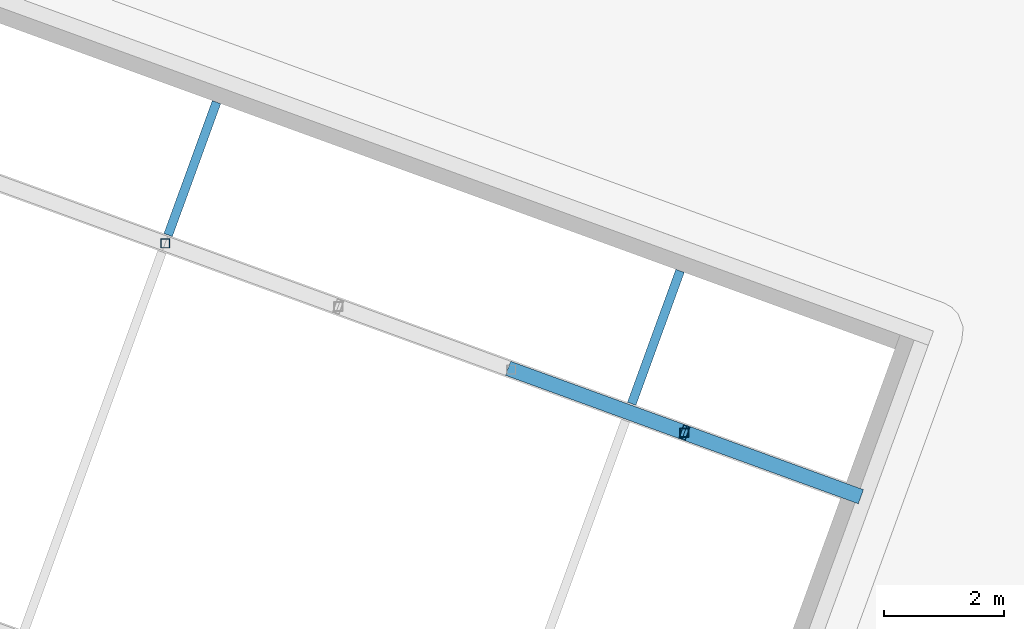
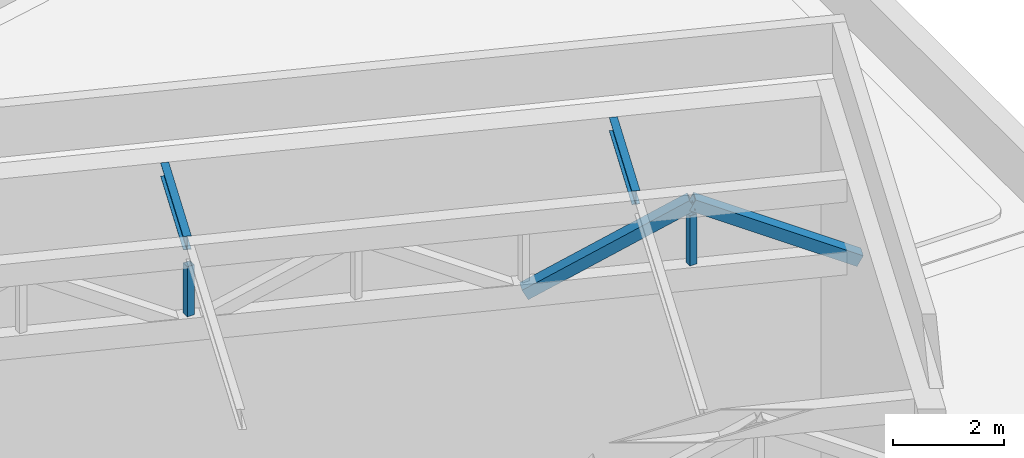
# One storey, part 43 of 72: 6 members.
"""IFC4 building model written with IfcOpenShell, lengths in metres."""

from ifc_helpers import new_model, si_unit, direction, frame, origin, origin_2d, place, context, subcontext, project, spatial, hollow_rectangle, i_section, extrude, material, material_profile, profile_set, type_object, element, save


model = new_model("IFC4")

# Units and contexts
model_context = context("Model", 3, precision=1e-05, world=origin(), true_north=direction((0.0, 1.0)))
body_context = subcontext(model_context, "Body", "Model", "MODEL_VIEW")
ifc_project = project(units=[si_unit("LENGTHUNIT", "METRE"), si_unit("AREAUNIT", "SQUARE_METRE"), si_unit("VOLUMEUNIT", "CUBIC_METRE"), si_unit("PLANEANGLEUNIT", "RADIAN"), si_unit("MASSUNIT", "GRAM", prefix="KILO")], contexts=[model_context])

# Site, building, storey
site_placement = place(None, origin())
site = spatial("IfcSite", under=ifc_project, at=site_placement, CompositionType="ELEMENT")
building_placement = place(site_placement, origin())
building = spatial("IfcBuilding", under=site, at=building_placement, Name="Nzadi Deep Aquarium and Research Tower", CompositionType="ELEMENT")
storey_placement = place(building_placement, frame((0.0, 0.0, 31.89990234375)))
storey = spatial("IfcBuildingStorey", under=building, at=storey_placement, Name="L05", CompositionType="ELEMENT", Elevation=31.89990234375)

# Members
ifc_material_1 = material(Name="Steel S355", Category="steel")
ifc_material_profile_1 = material_profile(ifc_material_1, i_section(OverallWidth=0.14990234375, OverallDepth=0.300048828125, WebThickness=0.007080078125, FlangeThickness=0.0107421875, FilletRadius=0.014892578125, at=origin_2d()))
ifc_profile_set_1 = profile_set([ifc_material_profile_1], Name="Steel S355")
member_type_1 = type_object("IfcMemberType", Name="IPE 300", PredefinedType="PURLIN", material=ifc_profile_set_1)
for number, where, z_axis, x_axis, name in (
    (1, (33.981689453125, 84.436279296875, 13.650146484375), (0.342009981554, 0.939696319306, 0.0), (-0.939696319306, 0.342009981554, 0.0), "MB-PR-R2-PU2-3"),
    (2, (41.68701171875, 81.6318359375, 13.650146484375), (0.342009981554, 0.939696319306, 0.0), (-0.939696319306, 0.342009981554, 0.0), "MB-PR-R2-PU3-3"),
):
    element("IfcMember", number, at=place(storey_placement, frame(where, z_axis=z_axis, x_axis=x_axis)), inside=storey, type_object=member_type_1, Name=name, PredefinedType="PURLIN", context=body_context, shape_type="SweptSolid", body=[
        extrude(i_section(OverallWidth=0.14990234375, OverallDepth=0.300048828125, WebThickness=0.007080078125, FlangeThickness=0.0107421875, FilletRadius=0.014892578125, at=origin_2d()), origin(), (0.0, 0.0, 1.0), 2.349853515625),
    ])
ifc_material_2 = material(Name="Steel S355", Category="steel")
ifc_material_profile_2 = material_profile(ifc_material_2, hollow_rectangle(XDim=0.14990234375, YDim=0.14990234375, WallThickness=0.008056640625, at=origin_2d()))
ifc_profile_set_2 = profile_set([ifc_material_profile_2], Name="Steel S355")
member_type_2 = type_object("IfcMemberType", Name="RHS 150x150x8 post 2", PredefinedType="POST", material=ifc_profile_set_2)
for number, where, z_axis, x_axis, name in (
    (3, (33.930419921875, 84.29541015625, 12.2001953125), (0.0, 0.0, 1.0), (1.0, 0.0, 0.0), "MB-PR-R2-T3-V4"),
    (4, (42.563720703125, 81.153076171875, 12.2001953125), (0.0, 0.0, 1.0), (1.0, 0.0, 0.0), "MB-PR-R2-T3-V7"),
):
    element("IfcMember", number, at=place(storey_placement, frame(where, z_axis=z_axis, x_axis=x_axis)), inside=storey, type_object=member_type_2, Name=name, PredefinedType="POST", context=body_context, shape_type="SweptSolid", body=[
        extrude(hollow_rectangle(XDim=0.14990234375, YDim=0.14990234375, WallThickness=0.008056640625, at=origin_2d()), origin(), (0.0, 0.0, 1.0), 1.099853515625),
    ])
ifc_material_3 = material(Name="Steel S355", Category="steel")
ifc_material_profile_3 = material_profile(ifc_material_3, hollow_rectangle(XDim=0.25, YDim=0.25, WallThickness=0.01611328125, at=origin_2d()))
ifc_profile_set_3 = profile_set([ifc_material_profile_3], Name="Steel S355")
member_type_3 = type_object("IfcMemberType", Name="RHS 250x250x16 brace", PredefinedType="BRACE", material=ifc_profile_set_3)
member_1_placement = place(storey_placement, frame((39.68603515625, 82.200439453125, 11.9501953125), z_axis=(0.832885449393, -0.303137234062, 0.463043891564), x_axis=(0.342011896186, 0.939695622458, 0.0)))
element("IfcMember", 5, at=member_1_placement, inside=storey, type_object=member_type_3, Name="MB-PR-R2-T3-D7", PredefinedType="BRACE", context=body_context, shape_type="SweptSolid", body=[
    extrude(hollow_rectangle(XDim=0.25, YDim=0.25, WallThickness=0.01611328125, at=origin_2d()), origin(), (0.0, 0.0, 1.0), 3.455078125),
])
member_2_placement = place(storey_placement, frame((42.563720703125, 81.153076171875, 13.550048828125), z_axis=(0.832907091186, -0.3031193944, -0.463016641376), x_axis=(0.341986276019, 0.939704946786, 0.0)))
element("IfcMember", 6, at=member_2_placement, inside=storey, type_object=member_type_3, Name="MB-PR-R2-T3-D8", PredefinedType="BRACE", context=body_context, shape_type="SweptSolid", body=[
    extrude(hollow_rectangle(XDim=0.25, YDim=0.25, WallThickness=0.01611328125, at=origin_2d()), origin(), (0.0, 0.0, 1.0), 3.455322265625),
])

save(model, "model.ifc")
